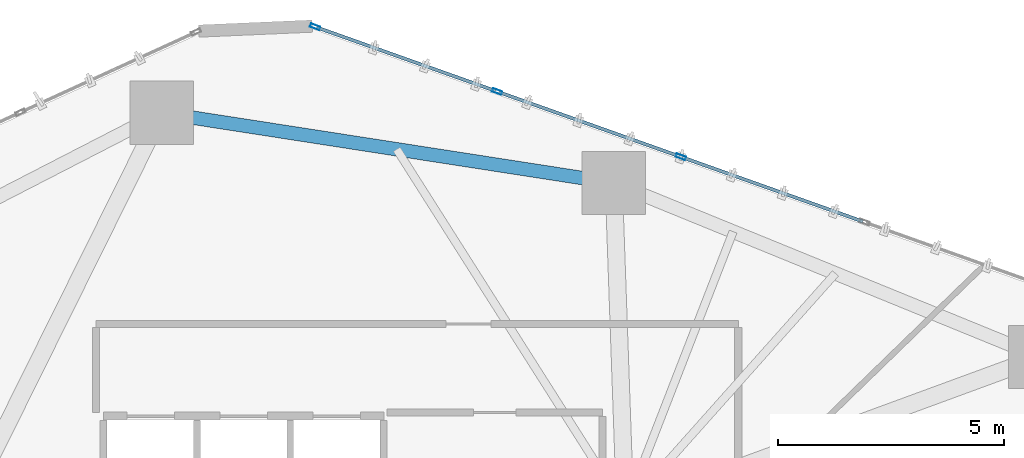
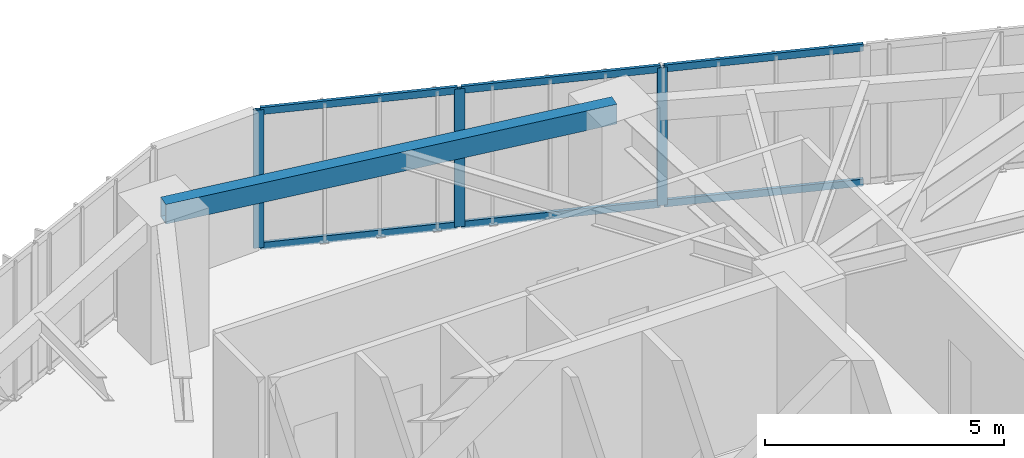
# One storey, part 16 of 24: 9 members, 1 beam, 1 element without a shape of its own.
"""IFC4 building model written with IfcOpenShell, lengths in metres."""

from ifc_helpers import new_model, si_unit, direction, frame, origin, origin_2d, place, context, subcontext, project, spatial, hollow_rectangle, extrude, source, transform, mapped, material, layer, layer_set, material_profile, profile_set, type_object, type_shapes, element, aggregate, save


model = new_model("IFC4")

# Units and contexts
model_context = context("Model", 3, precision=1e-05, world=origin(), true_north=direction((0.0, 1.0)))
body_context = subcontext(model_context, "Body", "Model", "MODEL_VIEW")
ifc_project = project(units=[si_unit("LENGTHUNIT", "METRE"), si_unit("AREAUNIT", "SQUARE_METRE"), si_unit("VOLUMEUNIT", "CUBIC_METRE"), si_unit("PLANEANGLEUNIT", "RADIAN"), si_unit("MASSUNIT", "GRAM", prefix="KILO")], contexts=[model_context])

# Site, building, storey
site_placement = place(None, origin())
site = spatial("IfcSite", under=ifc_project, at=site_placement, CompositionType="ELEMENT")
building_placement = place(site_placement, origin())
building = spatial("IfcBuilding", under=site, at=building_placement, Name="Talar Marvaseh", CompositionType="ELEMENT")
storey_placement = place(building_placement, frame((0.0, 0.0, 31.60009765625)))
storey = spatial("IfcBuildingStorey", under=building, at=storey_placement, Name="L07", CompositionType="ELEMENT", Elevation=31.60009765625)

# Beam
ifc_material_1 = material(Name="Steel S355", Category="steel")
ifc_material_profile_1 = material_profile(ifc_material_1, hollow_rectangle(XDim=0.300048828125, YDim=0.5, WallThickness=0.02001953125, at=origin_2d()), Name="RHS500x300x20")
ifc_profile_set_1 = profile_set([ifc_material_profile_1], Name="Steel S355")
beam_type = type_object("IfcBeamType", Name="Zone 1 Perimeter Spandrel Beam RHS500x300x20", PredefinedType="SPANDREL", material=ifc_profile_set_1)
beam_placement = place(storey_placement, frame((23.047119140625, 45.6669921875, 3.27001953125), z_axis=(0.988210751461, -0.153099675693, 0.0), x_axis=(0.153099675693, 0.988210751461, 0.0)))
element("IfcBeam", 1, at=beam_placement, inside=storey, type_object=beam_type, Name="L07 Zone 1 Perimeter Spandrel Beam RHS500x300x20", PredefinedType="SPANDREL", context=body_context, shape_type="SweptSolid", body=[
    extrude(hollow_rectangle(XDim=0.300048828125, YDim=0.5, WallThickness=0.02001953125, at=origin_2d()), origin(), (0.0, 0.0, 1.0), 10.1181640625),
])

# Curtain wall, members
ifc_material_2 = material(Name="Architectural Aluminium", Category="aluminium")
ifc_layer = layer(ifc_material_2, 0.219970703125)
ifc_layer_set = layer_set([ifc_layer], Name="Architectural Aluminium")
curtain_wall_type = type_object("IfcCurtainWallType", Name="Unitised Low-E Museum Curtain Wall Z1", PredefinedType="NOTDEFINED", material=ifc_layer_set)
curtain_wall_placement = place(storey_placement, origin())
curtain_wall = element("IfcCurtainWall", 2, at=curtain_wall_placement, inside=storey, type_object=curtain_wall_type, Name="L07 Unitised Low-E Museum Curtain Wall Z1", PredefinedType="NOTDEFINED")
ifc_material_profile_2 = material_profile(ifc_material_2, hollow_rectangle(XDim=0.080078125, YDim=0.219970703125, WallThickness=0.0048828125, at=origin_2d()), Name="RHS220x80x5")
ifc_profile_set_2 = profile_set([ifc_material_profile_2], Name="Architectural Aluminium")
member_type_1 = type_object("IfcMemberType", Name="Unitised Curtain Wall Heavy Mullion RHS220x80x5", PredefinedType="MULLION", material=ifc_profile_set_2)
shared_shape_1 = source(origin(), body_context, "Body", "SweptSolid", [
    extrude(hollow_rectangle(XDim=0.080078125, YDim=0.219970703125, WallThickness=0.0048828125, at=origin_2d()), origin(), (0.0, 0.0, 1.0), 3.52001953125),
])
type_shapes(member_type_1, [shared_shape_1])
member_1_placement = place(storey_placement, frame((26.442626953125, 47.56884765625, 0.0), z_axis=(0.0, 0.0, 1.0), x_axis=(0.334923421678, 0.942245351069, 0.0)))
member_1 = element("IfcMember", 3, at=member_1_placement, type_object=member_type_1, Name="CW-Z1 mullion 1", PredefinedType="MULLION", context=body_context, shape_type="MappedRepresentation", body=[
    mapped(shared_shape_1, transform((0.0, 0.0, 0.0), x_axis=(1.0, 0.0, 0.0), y_axis=(0.0, 1.0, 0.0), z_axis=(0.0, 0.0, 1.0), scale=1.0)),
])
member_2_placement = place(storey_placement, frame((30.4677734375, 46.13818359375, 0.0), z_axis=(0.0, 0.0, 1.0), x_axis=(0.334923421678, 0.942245351069, 0.0)))
member_2 = element("IfcMember", 4, at=member_2_placement, type_object=member_type_1, Name="CW-Z1 mullion 2", PredefinedType="MULLION", context=body_context, shape_type="MappedRepresentation", body=[
    mapped(shared_shape_1, transform((0.0, 0.0, 0.0), x_axis=(1.0, 0.0, 0.0), y_axis=(0.0, 1.0, 0.0), z_axis=(0.0, 0.0, 1.0), scale=1.0)),
])
member_3_placement = place(storey_placement, frame((34.53076171875, 44.694091796875, 0.0), z_axis=(0.0, 0.0, 1.0), x_axis=(0.334923421678, 0.942245351069, 0.0)))
member_3 = element("IfcMember", 5, at=member_3_placement, type_object=member_type_1, Name="CW-Z1 mullion 3", PredefinedType="MULLION", context=body_context, shape_type="MappedRepresentation", body=[
    mapped(shared_shape_1, transform((0.0, 0.0, 0.0), x_axis=(1.0, 0.0, 0.0), y_axis=(0.0, 1.0, 0.0), z_axis=(0.0, 0.0, 1.0), scale=1.0)),
])
ifc_material_profile_3 = material_profile(ifc_material_2, hollow_rectangle(XDim=0.074951171875, YDim=0.179931640625, WallThickness=0.0048828125, at=origin_2d()), Name="RHS180x75x5")
ifc_profile_set_3 = profile_set([ifc_material_profile_3], Name="Architectural Aluminium")
member_type_2 = type_object("IfcMemberType", Name="Unitised Curtain Wall Transom RHS180x75x5", PredefinedType="USERDEFINED", material=ifc_profile_set_3)
shared_shape_2 = source(origin(), body_context, "Body", "SweptSolid", [
    extrude(hollow_rectangle(XDim=0.074951171875, YDim=0.179931640625, WallThickness=0.0048828125, at=origin_2d()), origin(), (0.0, 0.0, 1.0), 4.23193359375),
])
member_4_placement = place(storey_placement, frame((34.568359375, 44.6806640625, 0.037353515625), z_axis=(0.942238158201, -0.3349436568, 0.0), x_axis=(0.3349436568, 0.942238158201, 0.0)))
member_4 = element("IfcMember", 6, at=member_4_placement, type_object=member_type_2, Name="CW-Z1 transom 3.1", ObjectType="TRANSOM", PredefinedType="USERDEFINED", context=body_context, shape_type="MappedRepresentation", body=[
    mapped(shared_shape_2, transform((0.0, 0.0, 0.0), x_axis=(1.0, 0.0, 0.0), y_axis=(0.0, 1.0, 0.0), z_axis=(0.0, 0.0, 1.0), scale=1.0)),
])
member_5_placement = place(storey_placement, frame((34.568359375, 44.6806640625, 3.482421875), z_axis=(0.942238158201, -0.3349436568, 0.0), x_axis=(0.3349436568, 0.942238158201, 0.0)))
member_5 = element("IfcMember", 7, at=member_5_placement, type_object=member_type_2, Name="CW-Z1 transom 3.2", ObjectType="TRANSOM", PredefinedType="USERDEFINED", context=body_context, shape_type="MappedRepresentation", body=[
    mapped(shared_shape_2, transform((0.0, 0.0, 0.0), x_axis=(1.0, 0.0, 0.0), y_axis=(0.0, 1.0, 0.0), z_axis=(0.0, 0.0, 1.0), scale=1.0)),
])
shared_shape_3 = source(origin(), body_context, "Body", "SweptSolid", [
    extrude(hollow_rectangle(XDim=0.074951171875, YDim=0.179931640625, WallThickness=0.0048828125, at=origin_2d()), origin(), (0.0, 0.0, 1.0), 4.191650390625),
])
member_6_placement = place(storey_placement, frame((26.48046875, 47.555419921875, 0.037353515625), z_axis=(0.942254720803, -0.33489706049, 0.0), x_axis=(0.33489706049, 0.942254720803, 0.0)))
member_6 = element("IfcMember", 8, at=member_6_placement, type_object=member_type_2, Name="CW-Z1 transom 1.1", ObjectType="TRANSOM", PredefinedType="USERDEFINED", context=body_context, shape_type="MappedRepresentation", body=[
    mapped(shared_shape_3, transform((0.0, 0.0, 0.0), x_axis=(1.0, 0.0, 0.0), y_axis=(0.0, 1.0, 0.0), z_axis=(0.0, 0.0, 1.0), scale=1.0)),
])
member_7_placement = place(storey_placement, frame((26.48046875, 47.555419921875, 3.482421875), z_axis=(0.942254720803, -0.33489706049, 0.0), x_axis=(0.33489706049, 0.942254720803, 0.0)))
member_7 = element("IfcMember", 9, at=member_7_placement, type_object=member_type_2, Name="CW-Z1 transom 1.2", ObjectType="TRANSOM", PredefinedType="USERDEFINED", context=body_context, shape_type="MappedRepresentation", body=[
    mapped(shared_shape_3, transform((0.0, 0.0, 0.0), x_axis=(1.0, 0.0, 0.0), y_axis=(0.0, 1.0, 0.0), z_axis=(0.0, 0.0, 1.0), scale=1.0)),
])
shared_shape_4 = source(origin(), body_context, "Body", "SweptSolid", [
    extrude(hollow_rectangle(XDim=0.074951171875, YDim=0.179931640625, WallThickness=0.0048828125, at=origin_2d()), origin(), (0.0, 0.0, 1.0), 4.231689453125),
])
type_shapes(member_type_2, [shared_shape_2, shared_shape_3, shared_shape_4])
member_8_placement = place(storey_placement, frame((30.505615234375, 46.124755859375, 0.037353515625), z_axis=(0.942231685677, -0.334961864257, 0.0), x_axis=(0.334961864257, 0.942231685677, 0.0)))
member_8 = element("IfcMember", 10, at=member_8_placement, type_object=member_type_2, Name="CW-Z1 transom 2.1", ObjectType="TRANSOM", PredefinedType="USERDEFINED", context=body_context, shape_type="MappedRepresentation", body=[
    mapped(shared_shape_4, transform((0.0, 0.0, 0.0), x_axis=(1.0, 0.0, 0.0), y_axis=(0.0, 1.0, 0.0), z_axis=(0.0, 0.0, 1.0), scale=1.0)),
])
member_9_placement = place(storey_placement, frame((30.505615234375, 46.124755859375, 3.482421875), z_axis=(0.942231685677, -0.334961864257, 0.0), x_axis=(0.334961864257, 0.942231685677, 0.0)))
member_9 = element("IfcMember", 11, at=member_9_placement, type_object=member_type_2, Name="CW-Z1 transom 2.2", ObjectType="TRANSOM", PredefinedType="USERDEFINED", context=body_context, shape_type="MappedRepresentation", body=[
    mapped(shared_shape_4, transform((0.0, 0.0, 0.0), x_axis=(1.0, 0.0, 0.0), y_axis=(0.0, 1.0, 0.0), z_axis=(0.0, 0.0, 1.0), scale=1.0)),
])
aggregate(curtain_wall, [member_1, member_2, member_3, member_6, member_7, member_8, member_9, member_4, member_5])

save(model, "model.ifc")
